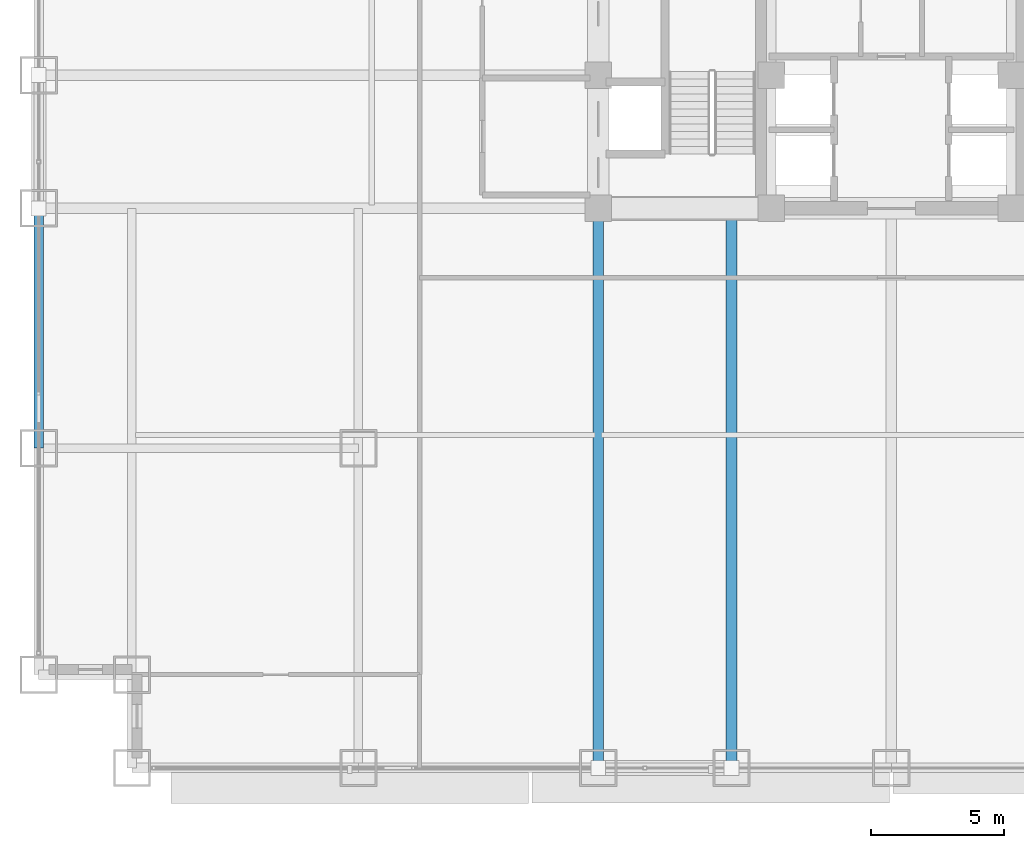
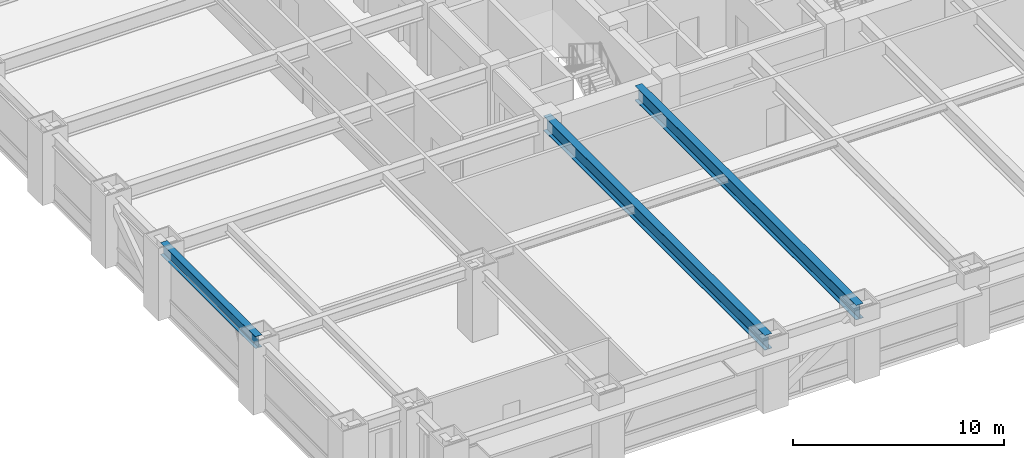
# One storey, part 5 of 31: 3 beams.
"""IFC4 building model written with IfcOpenShell, lengths in metres."""

import ifcopenshell
import ifcopenshell.guid

model = None  # the IFC model being written
_history = None  # IfcOwnerHistory: only IFC2X3 demands one
_inside = {}  # id of a spatial element -> (the spatial element, [elements in it])
_under = {}  # id of a project, library or spatial element -> (it, [spatial elements below it])
_declared = {}  # id of a project -> (the project, [libraries it declares])
_typed = {}  # id of a type object -> (the type object, [elements of that type])
_made_of = {}  # id of a material, layer set ... -> (it, [elements and type objects made of it])


def new_model(schema):
    """Start an empty IFC model of exactly this schema.

    Asked for "IFC4X3", IfcOpenShell would pick the latest addendum, in which some entities
    have other attributes; the version numbers below select the first issue.
    IFC2X3 requires an IfcOwnerHistory on every rooted entity: one is made here for all.
    """
    global model, _history
    if schema == "IFC4X3":
        model = ifcopenshell.file(schema_version=(4, 3, 0, 0))
    else:
        model = ifcopenshell.file(schema=schema)
    _inside.clear()
    _under.clear()
    _declared.clear()
    _typed.clear()
    _made_of.clear()
    _history = None
    if model.schema == "IFC2X3":
        org = make("IfcOrganization", Name="unknown")
        user = make(
            "IfcPersonAndOrganization",
            ThePerson=make("IfcPerson", FamilyName="unknown"),
            TheOrganization=org,
        )
        app = make(
            "IfcApplication",
            ApplicationDeveloper=org,
            Version="unknown",
            ApplicationFullName="unknown",
            ApplicationIdentifier="unknown",
        )
        _history = make(
            "IfcOwnerHistory",
            OwningUser=user,
            OwningApplication=app,
            ChangeAction="ADDED",
            CreationDate=0,
        )
    return model


def make(cls, **values):
    """One entity of the class cls with the attributes given. An attribute that is None is left unset."""
    return model.create_entity(
        cls, **{name: value for name, value in values.items() if value is not None}
    )


def rooted(cls, **values):
    """An entity with a GlobalId (a new one), such as an element, a storey or a relation."""
    return make(cls, GlobalId=ifcopenshell.guid.new(), OwnerHistory=_history, **values)


def si_unit(unit_type, name, prefix=None):
    """IfcSIUnit, for example si_unit("LENGTHUNIT", "METRE", prefix="MILLI")."""
    return make("IfcSIUnit", UnitType=unit_type, Prefix=prefix, Name=name)


def assignment(units):
    """IfcUnitAssignment: the units of a project."""
    return None if units is None else make("IfcUnitAssignment", Units=units)


def point(xyz):
    """IfcCartesianPoint."""
    return None if xyz is None else make("IfcCartesianPoint", Coordinates=xyz)


def direction(xyz):
    """IfcDirection."""
    return None if xyz is None else make("IfcDirection", DirectionRatios=xyz)


def frame(location, z_axis=None, x_axis=None):
    """IfcAxis2Placement3D, a coordinate frame: its origin and axes. An axis left out is left unset."""
    return make(
        "IfcAxis2Placement3D",
        Location=point(location),
        Axis=direction(z_axis),
        RefDirection=direction(x_axis),
    )


def frame_2d(location, x_axis=None):
    """IfcAxis2Placement2D, a coordinate frame in the plane: its origin and x axis."""
    return make(
        "IfcAxis2Placement2D", Location=point(location), RefDirection=direction(x_axis)
    )


def origin():
    """The frame at (0, 0, 0) with its axes left unset."""
    return frame((0.0, 0.0, 0.0))


def origin_2d():
    """The frame at (0, 0) in the plane with its x axis left unset."""
    return frame_2d((0.0, 0.0))


def place(relative_to, where):
    """IfcLocalPlacement: puts the frame where relative to a parent placement (None: the world)."""
    return make(
        "IfcLocalPlacement", PlacementRelTo=relative_to, RelativePlacement=where
    )


def context(
    kind, dimensions, precision=None, world=None, true_north=None, identifier=None
):
    """IfcGeometricRepresentationContext, for example the 3D "Model" context."""
    return make(
        "IfcGeometricRepresentationContext",
        ContextIdentifier=identifier,
        ContextType=kind,
        CoordinateSpaceDimension=dimensions,
        Precision=precision,
        WorldCoordinateSystem=world,
        TrueNorth=true_north,
    )


def subcontext(parent, identifier, kind, view, scale=None):
    """IfcGeometricRepresentationSubContext, for example "Body" below "Model"."""
    return make(
        "IfcGeometricRepresentationSubContext",
        ContextIdentifier=identifier,
        ContextType=kind,
        ParentContext=parent,
        TargetScale=scale,
        TargetView=view,
    )


def project(units=None, contexts=None):
    """IfcProject with its units and contexts."""
    return rooted(
        "IfcProject",
        Name="project",
        RepresentationContexts=contexts,
        UnitsInContext=assignment(units),
    )


def spatial(cls, under=None, at=None, **own):
    """A site, building, storey or space (cls), placed at a placement, below another one or the project."""
    s = rooted(cls, ObjectPlacement=at, **own)
    if under is not None:
        _under.setdefault(under.id(), (under, []))[1].append(s)
    return s


def profile(cls, at=None, kind="AREA", **sizes):
    """A parametric profile (cls). Its sizes go by their IFC names, for example OverallWidth=200.0."""
    return make(cls, ProfileType=kind, Position=at, **sizes)


def i_section(**sizes):
    """IfcIShapeProfileDef."""
    return profile("IfcIShapeProfileDef", **sizes)


def extrude(swept, where, along, depth):
    """IfcExtrudedAreaSolid: the profile swept, set in the frame where, extruded along a direction by depth."""
    return make(
        "IfcExtrudedAreaSolid",
        SweptArea=swept,
        Position=where,
        ExtrudedDirection=direction(along),
        Depth=depth,
    )


def shape(context_of_items, identifier, shape_type, items):
    """IfcShapeRepresentation: the items that make up one representation, for example the "Body"."""
    return make(
        "IfcShapeRepresentation",
        ContextOfItems=context_of_items,
        RepresentationIdentifier=identifier,
        RepresentationType=shape_type,
        Items=items,
    )


def source(mapping_origin, context_of_items, identifier, shape_type, items):
    """IfcRepresentationMap: a shape defined once, which mapped items show again and again."""
    return make(
        "IfcRepresentationMap",
        MappingOrigin=mapping_origin,
        MappedRepresentation=shape(context_of_items, identifier, shape_type, items),
    )


def transform(
    local_origin,
    x_axis=None,
    y_axis=None,
    z_axis=None,
    scale=None,
    scale2=None,
    scale3=None,
    uniform=True,
):
    """IfcCartesianTransformationOperator3D, or its non-uniform kind. x_axis, y_axis, z_axis: its Axis1, 2, 3."""
    if uniform:
        return make(
            "IfcCartesianTransformationOperator3D",
            Axis1=direction(x_axis),
            Axis2=direction(y_axis),
            LocalOrigin=point(local_origin),
            Scale=scale,
            Axis3=direction(z_axis),
        )
    return make(
        "IfcCartesianTransformationOperator3DnonUniform",
        Axis1=direction(x_axis),
        Axis2=direction(y_axis),
        LocalOrigin=point(local_origin),
        Scale=scale,
        Axis3=direction(z_axis),
        Scale2=scale2,
        Scale3=scale3,
    )


def mapped(mapping_source, mapping_target):
    """IfcMappedItem: shows the shape of a source again, moved by a transform."""
    return make(
        "IfcMappedItem", MappingSource=mapping_source, MappingTarget=mapping_target
    )


def material(Name=None, Category=None):
    """IfcMaterial."""
    return make("IfcMaterial", Name=Name, Category=Category)


def material_profile(
    of_material, cross_section, Name=None, Category=None, Priority=None
):
    """IfcMaterialProfile: a cross section and its material."""
    return make(
        "IfcMaterialProfile",
        Name=Name,
        Material=of_material,
        Profile=cross_section,
        Priority=Priority,
        Category=Category,
    )


def profile_set(profiles, Name=None, composite=None):
    """IfcMaterialProfileSet."""
    return make(
        "IfcMaterialProfileSet",
        Name=Name,
        MaterialProfiles=profiles,
        CompositeProfile=composite,
    )


def made_of(thing, what):
    """Note that an element or type object is made of a material, layer set ...; save() writes the relation."""
    if what is not None:
        _made_of.setdefault(what.id(), (what, []))[1].append(thing)
    return thing


def type_object(cls, material=None, **own):
    """A type object (cls), such as IfcWallType, which elements share."""
    return made_of(rooted(cls, **own), material)


def element(
    cls,
    number,
    at=None,
    inside=None,
    cuts=None,
    type_object=None,
    material=None,
    context=None,
    identifier="Body",
    shape_type=None,
    held_by="IfcProductDefinitionShape",
    body=None,
    shapes=None,
    **own,
):
    """One element of the class cls, such as IfcWall. Its Tag is "e" and its number.

    at: its placement. inside: the storey or other place that contains it. cuts: it is an
    opening in that element (IfcRelVoidsElement). A single representation is given by context,
    identifier, shape_type and body (its items); several are given by shapes. held_by: the class
    of the entity that holds the representations. save() writes the other relations.
    """
    e = rooted(cls, Tag="e%d" % number, ObjectPlacement=at, **own)
    if body is not None:
        shapes = [shape(context, identifier, shape_type, body)]
    if shapes is not None:
        e.Representation = make(held_by, Representations=shapes)
    if inside is not None:
        _inside.setdefault(inside.id(), (inside, []))[1].append(e)
    if cuts is not None:
        rooted(
            "IfcRelVoidsElement", RelatingBuildingElement=cuts, RelatedOpeningElement=e
        )
    if type_object is not None:
        _typed.setdefault(type_object.id(), (type_object, []))[1].append(e)
    return made_of(e, material)


def aggregate(whole, parts):
    """IfcRelAggregates: a whole, such as a stair, and the parts it consists of."""
    return rooted("IfcRelAggregates", RelatingObject=whole, RelatedObjects=parts)


def save(model, path):
    """Write the relations noted so far, then the file.

    IfcRelAggregates (storeys below a building ...), IfcRelContainedInSpatialStructure (elements
    in a storey), IfcRelDefinesByType, IfcRelAssociatesMaterial and IfcRelDeclares: one each for
    every whole, place, type object, material and project.
    """
    for whole, parts in _under.values():
        aggregate(whole, parts)
    for where, things in _inside.values():
        rooted(
            "IfcRelContainedInSpatialStructure",
            RelatedElements=things,
            RelatingStructure=where,
        )
    for kind, things in _typed.values():
        rooted("IfcRelDefinesByType", RelatedObjects=things, RelatingType=kind)
    for what, things in _made_of.values():
        rooted("IfcRelAssociatesMaterial", RelatedObjects=things, RelatingMaterial=what)
    for by, libraries in _declared.values():
        rooted("IfcRelDeclares", RelatingContext=by, RelatedDefinitions=libraries)
    model.write(path)


model = new_model("IFC4")

# Units and contexts
model_context = context("Model", 3, precision=1e-05, world=origin(), true_north=direction((0.0, 1.0)))
body_context = subcontext(model_context, "Body", "Model", "MODEL_VIEW")
ifc_project = project(units=[si_unit("LENGTHUNIT", "METRE"), si_unit("AREAUNIT", "SQUARE_METRE"), si_unit("VOLUMEUNIT", "CUBIC_METRE"), si_unit("PLANEANGLEUNIT", "RADIAN"), si_unit("MASSUNIT", "GRAM", prefix="KILO")], contexts=[model_context])

# Site, building, storey
site_placement = place(None, origin())
site = spatial("IfcSite", under=ifc_project, at=site_placement, CompositionType="ELEMENT")
building_placement = place(site_placement, origin())
building = spatial("IfcBuilding", under=site, at=building_placement, Name="Khorayat Bourse Tower", CompositionType="ELEMENT")
storey_placement = place(building_placement, frame((0.0, 0.0, 36.800048828125)))
storey = spatial("IfcBuildingStorey", under=building, at=storey_placement, Name="L07", CompositionType="ELEMENT", Elevation=36.800048828125)

# Beams
ifc_material = material(Name="Steel ASTM A992 Grade 50", Category="steel")
ifc_material_profile_1 = material_profile(ifc_material, i_section(OverallWidth=0.35498046875, OverallDepth=0.695068359375, WebThickness=0.015380859375, FlangeThickness=0.02490234375, FilletRadius=0.01806640625, at=origin_2d()), Name="W690X217")
ifc_profile_set_1 = profile_set([ifc_material_profile_1], Name="Steel ASTM A992 Grade 50")
beam_type_1 = type_object("IfcBeamType", Name="BM-SPAN-690", PredefinedType="SPANDREL", material=ifc_profile_set_1)
shared_shape_1 = source(origin(), body_context, "Body", "SweptSolid", [
    extrude(i_section(OverallWidth=0.35498046875, OverallDepth=0.695068359375, WebThickness=0.015380859375, FlangeThickness=0.02490234375, FilletRadius=0.01806640625, at=origin_2d()), origin(), (0.0, 0.0, 1.0), 9.0),
])
beam_placement = place(storey_placement, frame((-32.0, -20.0, 3.592529296875), z_axis=(0.0, 1.0, 0.0), x_axis=(-1.0, 0.0, 0.0)))
element("IfcBeam", 1, at=beam_placement, inside=storey, type_object=beam_type_1, Name="L07 BM-SPAN-690 BM-L07-SPN-060", PredefinedType="SPANDREL", context=body_context, shape_type="MappedRepresentation", body=[
    mapped(shared_shape_1, transform((0.0, 0.0, 0.0), scale=1.0)),
])
ifc_material_profile_2 = material_profile(ifc_material, i_section(OverallWidth=0.39990234375, OverallDepth=0.85498046875, WebThickness=0.018310546875, FlangeThickness=0.029296875, FilletRadius=0.02001953125, at=origin_2d()), Name="W840X299")
ifc_profile_set_2 = profile_set([ifc_material_profile_2], Name="Steel ASTM A992 Grade 50")
beam_type_2 = type_object("IfcBeamType", Name="BM-GIRD-840", PredefinedType="BEAM", material=ifc_profile_set_2)
shared_shape_2 = source(origin(), body_context, "Body", "SweptSolid", [
    extrude(i_section(OverallWidth=0.39990234375, OverallDepth=0.85498046875, WebThickness=0.018310546875, FlangeThickness=0.029296875, FilletRadius=0.02001953125, at=origin_2d()), origin(), (0.0, 0.0, 1.0), 21.0),
])
for number, where, z_axis, x_axis, name in (
    (2, (-11.0, -32.0, 3.512451171875), (0.0, 1.0, 0.0), (-1.0, 0.0, 0.0), "L07 BM-GIRD-840 BM-L07-RADY-065"),
    (3, (-6.0, -32.0, 3.512451171875), (0.0, 1.0, 0.0), (-1.0, 0.0, 0.0), "L07 BM-GIRD-840 BM-L07-RADY-067"),
):
    element("IfcBeam", number, at=place(storey_placement, frame(where, z_axis=z_axis, x_axis=x_axis)), inside=storey, type_object=beam_type_2, Name=name, PredefinedType="BEAM", context=body_context, shape_type="MappedRepresentation", body=[
        mapped(shared_shape_2, transform((0.0, 0.0, 0.0), scale=1.0)),
    ])

save(model, "model.ifc")
